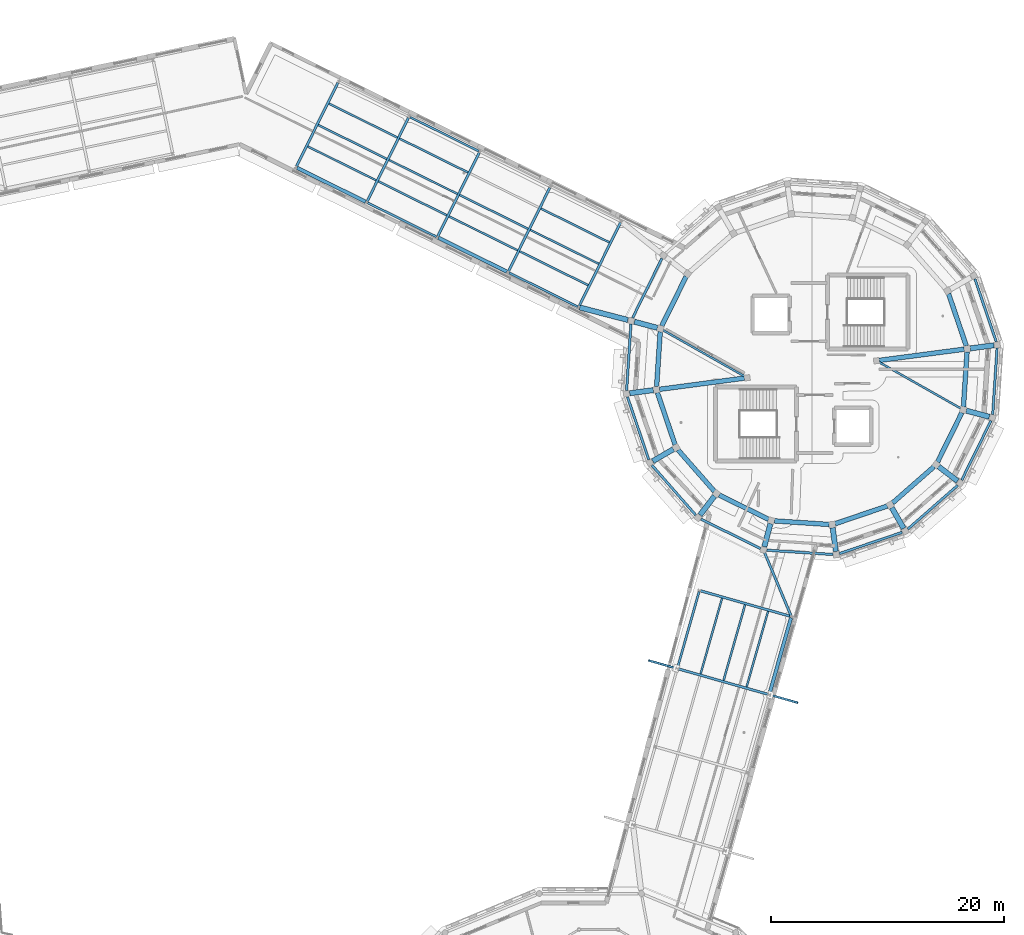
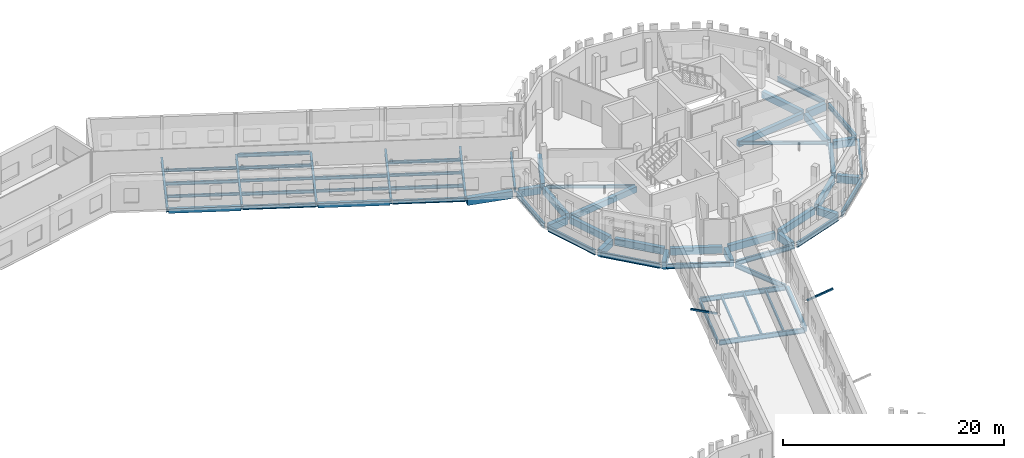
# One storey, part 29 of 90: 66 beams, 2 members.
"""IFC4 building model written with IfcOpenShell, lengths in metres."""

from ifc_helpers import new_model, si_unit, direction, frame, origin, origin_2d, place, context, subcontext, project, spatial, rectangle, hollow_rectangle, i_section, extrude, material, material_profile, profile_set, type_object, element, save


model = new_model("IFC4")

# Units and contexts
model_context = context("Model", 3, precision=1e-05, world=origin(), true_north=direction((0.0, 1.0)))
body_context = subcontext(model_context, "Body", "Model", "MODEL_VIEW")
ifc_project = project(units=[si_unit("LENGTHUNIT", "METRE"), si_unit("AREAUNIT", "SQUARE_METRE"), si_unit("VOLUMEUNIT", "CUBIC_METRE"), si_unit("PLANEANGLEUNIT", "RADIAN"), si_unit("MASSUNIT", "GRAM", prefix="KILO")], contexts=[model_context])

# Site, building, storey
site_placement = place(None, origin())
site = spatial("IfcSite", under=ifc_project, at=site_placement, CompositionType="ELEMENT")
building_placement = place(site_placement, origin())
building = spatial("IfcBuilding", under=site, at=building_placement, Name="Wrenclough Park School", CompositionType="ELEMENT")
storey_placement = place(building_placement, frame((0.0, 0.0, 8.39990234375)))
storey = spatial("IfcBuildingStorey", under=building, at=storey_placement, Name="L02", CompositionType="ELEMENT", Elevation=8.39990234375)

# Beams
ifc_material_1 = material(Name="Concrete C32/40", Category="concrete")
ifc_material_profile_1 = material_profile(ifc_material_1, rectangle(XDim=0.300048828125, YDim=0.5, at=origin_2d()), Name="RC BEAM 300x500")
ifc_profile_set_1 = profile_set([ifc_material_profile_1], Name="Concrete C32/40")
beam_type_1 = type_object("IfcBeamType", Name="STR-BM-RC300", PredefinedType="BEAM", material=ifc_profile_set_1)
beam_1_placement = place(storey_placement, frame((170.871826171875, 65.67822265625, -0.489990234375), z_axis=(0.272842053349, 0.962058841196, 0.0), x_axis=(-0.962058841196, 0.272842053349, 0.0)))
element("IfcBeam", 1, at=beam_1_placement, inside=storey, type_object=beam_type_1, Name="W14 L02 longitudinal edge beam R3", PredefinedType="BEAM", context=body_context, shape_type="SweptSolid", body=[
    extrude(rectangle(XDim=0.300048828125, YDim=0.5, at=origin_2d()), origin(), (0.0, 0.0, 1.0), 6.762939453125),
])
for number, where, z_axis, x_axis, name in (
    (2, (130.334228515625, 110.78076171875, -0.5), (0.896257314968, -0.443534469197, 0.0), (0.443534469197, 0.896257314968, 0.0), "W45 L02 longitudinal edge beam R1"),
    (3, (142.459228515625, 104.78076171875, -0.5), (0.896257314968, -0.443534469197, 0.0), (0.443534469197, 0.896257314968, 0.0), "W45 L02 longitudinal edge beam R3"),
):
    element("IfcBeam", number, at=place(storey_placement, frame(where, z_axis=z_axis, x_axis=x_axis)), inside=storey, type_object=beam_type_1, Name=name, PredefinedType="BEAM", context=body_context, shape_type="SweptSolid", body=[
        extrude(rectangle(XDim=0.300048828125, YDim=0.5, at=origin_2d()), origin(), (0.0, 0.0, 1.0), 6.56298828125),
    ])
ifc_material_2 = material(Name="Concrete C35/45", Category="concrete")
ifc_material_profile_2 = material_profile(ifc_material_2, rectangle(XDim=0.39990234375, YDim=0.64990234375, at=origin_2d()), Name="RC BEAM 400x650")
ifc_profile_set_2 = profile_set([ifc_material_profile_2], Name="Concrete C35/45")
beam_type_2 = type_object("IfcBeamType", Name="STR-BM-RC400A", PredefinedType="BEAM", material=ifc_profile_set_2)
for number, where, z_axis, x_axis, name in (
    (4, (187.5732421875, 95.22119140625, -0.58984375), (-0.991442527194, -0.130543920851, 0.0), (0.130543920851, -0.991442527194, 0.0), "D5 L02 inner radial beam 1"),
    (5, (161.4267578125, 91.77880859375, -0.58984375), (0.991442527194, 0.130543920851, 0.0), (-0.130543920851, 0.991442527194, 0.0), "D5 L02 inner radial beam 5"),
):
    element("IfcBeam", number, at=place(storey_placement, frame(where, z_axis=z_axis, x_axis=x_axis)), inside=storey, type_object=beam_type_2, Name=name, PredefinedType="BEAM", context=body_context, shape_type="SweptSolid", body=[
        extrude(rectangle(XDim=0.39990234375, YDim=0.64990234375, at=origin_2d()), origin(), (0.0, 0.0, 1.0), 7.345947265625),
    ])
ifc_material_profile_3 = material_profile(ifc_material_2, rectangle(XDim=0.39990234375, YDim=0.75, at=origin_2d()), Name="RC BEAM 400x750")
ifc_profile_set_3 = profile_set([ifc_material_profile_3], Name="Concrete C35/45")
beam_type_3 = type_object("IfcBeamType", Name="STR-BM-RC400B", PredefinedType="BEAM", material=ifc_profile_set_3)
beam_2_placement = place(storey_placement, frame((187.75, 95.505615234375, -0.639892578125), z_axis=(-0.321421417637, 0.946936255661, 0.0), x_axis=(-0.946936255661, -0.321421417637, 0.0)))
element("IfcBeam", 6, at=beam_2_placement, inside=storey, type_object=beam_type_3, Name="D5 L02 middle ring beam 1", PredefinedType="BEAM", context=body_context, shape_type="SweptSolid", body=[
    extrude(rectangle(XDim=0.39990234375, YDim=0.75, at=origin_2d()), origin(), (0.0, 0.0, 1.0), 4.719970703125),
])
beam_3_placement = place(storey_placement, frame((163.712646484375, 101.450927734375, -0.639892578125), z_axis=(-0.442323832808, -0.89685541027, 0.0), x_axis=(0.89685541027, -0.442323832808, 0.0)))
element("IfcBeam", 7, at=beam_3_placement, inside=storey, type_object=beam_type_3, Name="D5 L02 middle ring beam 7", PredefinedType="BEAM", context=body_context, shape_type="SweptSolid", body=[
    extrude(rectangle(XDim=0.39990234375, YDim=0.75, at=origin_2d()), origin(), (0.0, 0.0, 1.0), 4.7197265625),
])
for number, where, z_axis, x_axis, name in (
    (8, (161.490966796875, 96.7177734375, -0.639892578125), (-0.065379206951, -0.9978604909, 0.0), (0.9978604909, -0.065379206951, 0.0), "D5 L02 middle ring beam 8"),
    (9, (161.25, 91.494384765625, -0.639892578125), (0.321421417637, -0.946936255661, 0.0), (0.946936255661, 0.321421417637, 0.0), "D5 L02 middle ring beam 9"),
    (10, (163.026123046875, 86.576416015625, -0.639892578125), (0.659350116413, -0.751836035307, 0.0), (0.751836035307, 0.659350116413, 0.0), "D5 L02 middle ring beam 10"),
):
    element("IfcBeam", number, at=place(storey_placement, frame(where, z_axis=z_axis, x_axis=x_axis)), inside=storey, type_object=beam_type_3, Name=name, PredefinedType="BEAM", context=body_context, shape_type="SweptSolid", body=[
        extrude(rectangle(XDim=0.39990234375, YDim=0.75, at=origin_2d()), origin(), (0.0, 0.0, 1.0), 4.719970703125),
    ])
beam_4_placement = place(storey_placement, frame((166.549072265625, 82.712646484375, -0.639892578125), z_axis=(0.89685541027, -0.442323832808, 0.0), x_axis=(0.442323832808, 0.89685541027, 0.0)))
element("IfcBeam", 11, at=beam_4_placement, inside=storey, type_object=beam_type_3, Name="D5 L02 middle ring beam 11", PredefinedType="BEAM", context=body_context, shape_type="SweptSolid", body=[
    extrude(rectangle(XDim=0.39990234375, YDim=0.75, at=origin_2d()), origin(), (0.0, 0.0, 1.0), 4.7197265625),
])
for number, where, z_axis, x_axis, name in (
    (12, (171.2822265625, 80.490966796875, -0.639892578125), (0.9978604909, -0.065379206951, 0.0), (0.065379206951, 0.9978604909, 0.0), "D5 L02 middle ring beam 12"),
    (13, (176.505615234375, 80.25, -0.639892578125), (0.946936255661, 0.321421417637, 0.0), (-0.321421417637, 0.946936255661, 0.0), "D5 L02 middle ring beam 13"),
    (14, (181.423583984375, 82.026123046875, -0.639892578125), (0.751836035307, 0.659350116413, 0.0), (-0.659350116413, 0.751836035307, 0.0), "D5 L02 middle ring beam 14"),
):
    element("IfcBeam", number, at=place(storey_placement, frame(where, z_axis=z_axis, x_axis=x_axis)), inside=storey, type_object=beam_type_3, Name=name, PredefinedType="BEAM", context=body_context, shape_type="SweptSolid", body=[
        extrude(rectangle(XDim=0.39990234375, YDim=0.75, at=origin_2d()), origin(), (0.0, 0.0, 1.0), 4.719970703125),
    ])
beam_5_placement = place(storey_placement, frame((185.287353515625, 85.549072265625, -0.639892578125), z_axis=(0.442323832808, 0.89685541027, 0.0), x_axis=(-0.89685541027, 0.442323832808, 0.0)))
element("IfcBeam", 15, at=beam_5_placement, inside=storey, type_object=beam_type_3, Name="D5 L02 middle ring beam 15", PredefinedType="BEAM", context=body_context, shape_type="SweptSolid", body=[
    extrude(rectangle(XDim=0.39990234375, YDim=0.75, at=origin_2d()), origin(), (0.0, 0.0, 1.0), 4.7197265625),
])
beam_6_placement = place(storey_placement, frame((187.509033203125, 90.2822265625, -0.639892578125), z_axis=(0.065379206951, 0.9978604909, 0.0), x_axis=(-0.9978604909, 0.065379206951, 0.0)))
element("IfcBeam", 16, at=beam_6_placement, inside=storey, type_object=beam_type_3, Name="D5 L02 middle ring beam 16", PredefinedType="BEAM", context=body_context, shape_type="SweptSolid", body=[
    extrude(rectangle(XDim=0.39990234375, YDim=0.75, at=origin_2d()), origin(), (0.0, 0.0, 1.0), 4.719970703125),
])
ifc_material_3 = material(Name="Concrete C40/50", Category="concrete")
ifc_material_profile_4 = material_profile(ifc_material_3, rectangle(XDim=0.449951171875, YDim=0.800048828125, at=origin_2d()), Name="RC BEAM 450x800")
ifc_profile_set_4 = profile_set([ifc_material_profile_4], Name="Concrete C40/50")
beam_type_4 = type_object("IfcBeamType", Name="STR-BM-RC450", PredefinedType="BEAM", material=ifc_profile_set_4)
for number, where, z_axis, x_axis, name in (
    (17, (190.127197265625, 95.557373046875, -0.664794921875), (-0.991444149, -0.130531603121, 0.0), (0.130531603121, -0.991444149, 0.0), "D5 L02 radial girder 1"),
    (18, (159.275146484375, 97.57958984375, -0.664794921875), (0.965901752237, -0.25890887398, 0.0), (0.25890887398, 0.965901752237, 0.0), "D5 L02 radial girder 8"),
    (19, (158.872802734375, 91.442626953125, -0.664794921875), (0.991444149, 0.130531603121, 0.0), (-0.130531603121, 0.991444149, 0.0), "D5 L02 radial girder 9"),
    (20, (160.849609375, 85.618896484375, -0.664794921875), (0.865996998587, 0.500049196018, 0.0), (-0.500049196018, 0.865996998587, 0.0), "D5 L02 radial girder 10"),
):
    element("IfcBeam", number, at=place(storey_placement, frame(where, z_axis=z_axis, x_axis=x_axis)), inside=storey, type_object=beam_type_4, Name=name, PredefinedType="BEAM", context=body_context, shape_type="SweptSolid", body=[
        extrude(rectangle(XDim=0.449951171875, YDim=0.800048828125, at=origin_2d()), origin(), (0.0, 0.0, 1.0), 2.048095703125),
    ])
beam_7_placement = place(storey_placement, frame((164.90478515625, 80.9951171875, -0.664794921875), z_axis=(0.608736788616, 0.793372246922, 0.0), x_axis=(-0.793372246922, 0.608736788616, 0.0)))
element("IfcBeam", 21, at=beam_7_placement, inside=storey, type_object=beam_type_4, Name="D5 L02 radial girder 11", PredefinedType="BEAM", context=body_context, shape_type="SweptSolid", body=[
    extrude(rectangle(XDim=0.449951171875, YDim=0.800048828125, at=origin_2d()), origin(), (0.0, 0.0, 1.0), 2.04833984375),
])
for number, where, z_axis, x_axis, name in (
    (22, (170.42041015625, 78.275146484375, -0.664794921875), (0.25890887398, 0.965901752237, 0.0), (-0.965901752237, 0.25890887398, 0.0), "D5 L02 radial girder 12"),
    (23, (176.557373046875, 77.872802734375, -0.664794921875), (-0.130531603121, 0.991444149, 0.0), (-0.991444149, -0.130531603121, 0.0), "D5 L02 radial girder 13"),
    (24, (182.381103515625, 79.849609375, -0.664794921875), (-0.500049196018, 0.865996998587, 0.0), (-0.865996998587, -0.500049196018, 0.0), "D5 L02 radial girder 14"),
):
    element("IfcBeam", number, at=place(storey_placement, frame(where, z_axis=z_axis, x_axis=x_axis)), inside=storey, type_object=beam_type_4, Name=name, PredefinedType="BEAM", context=body_context, shape_type="SweptSolid", body=[
        extrude(rectangle(XDim=0.449951171875, YDim=0.800048828125, at=origin_2d()), origin(), (0.0, 0.0, 1.0), 2.048095703125),
    ])
beam_8_placement = place(storey_placement, frame((187.0048828125, 83.90478515625, -0.664794921875), z_axis=(-0.793372246922, 0.608736788616, 0.0), x_axis=(-0.608736788616, -0.793372246922, 0.0)))
element("IfcBeam", 25, at=beam_8_placement, inside=storey, type_object=beam_type_4, Name="D5 L02 radial girder 15", PredefinedType="BEAM", context=body_context, shape_type="SweptSolid", body=[
    extrude(rectangle(XDim=0.449951171875, YDim=0.800048828125, at=origin_2d()), origin(), (0.0, 0.0, 1.0), 2.04833984375),
])
beam_9_placement = place(storey_placement, frame((189.724853515625, 89.42041015625, -0.664794921875), z_axis=(-0.965901752237, 0.25890887398, 0.0), x_axis=(-0.25890887398, -0.965901752237, 0.0)))
element("IfcBeam", 26, at=beam_9_placement, inside=storey, type_object=beam_type_4, Name="D5 L02 radial girder 16", PredefinedType="BEAM", context=body_context, shape_type="SweptSolid", body=[
    extrude(rectangle(XDim=0.449951171875, YDim=0.800048828125, at=origin_2d()), origin(), (0.0, 0.0, 1.0), 2.048095703125),
])
beam_10_placement = place(storey_placement, frame((154.591552734375, 98.800048828125, -0.664794921875), z_axis=(0.96779154411, -0.251752908919, 0.0), x_axis=(0.251752908919, 0.96779154411, 0.0)))
element("IfcBeam", 27, at=beam_10_placement, inside=storey, type_object=beam_type_4, Name="W45 L02 drum junction tie beam 54", PredefinedType="BEAM", context=body_context, shape_type="SweptSolid", body=[
    extrude(rectangle(XDim=0.449951171875, YDim=0.800048828125, at=origin_2d()), origin(), (0.0, 0.0, 1.0), 4.26416015625),
])
ifc_material_4 = material(Name="Structural steel S355", Category="steel")
ifc_material_profile_5 = material_profile(ifc_material_4, i_section(OverallWidth=0.1650390625, OverallDepth=0.303466796875, WebThickness=0.006103515625, FlangeThickness=0.01025390625, FilletRadius=0.0087890625, at=origin_2d()), Name="UKB 305x165x40")
ifc_profile_set_5 = profile_set([ifc_material_profile_5], Name="Structural steel S355")
beam_type_5 = type_object("IfcBeamType", Name="STR-BM-UKB305", PredefinedType="JOIST", material=ifc_profile_set_5)
beam_11_placement = place(storey_placement, frame((164.956298828125, 67.360107421875, -0.3916015625), z_axis=(0.27284457139, 0.962058127071, 0.0), x_axis=(-0.962058127071, 0.27284457139, 0.0)))
element("IfcBeam", 28, at=beam_11_placement, inside=storey, type_object=beam_type_5, Name="W14 L02 secondary floor joist 0076", PredefinedType="JOIST", context=body_context, shape_type="SweptSolid", body=[
    extrude(i_section(OverallWidth=0.1650390625, OverallDepth=0.303466796875, WebThickness=0.006103515625, FlangeThickness=0.01025390625, FilletRadius=0.0087890625, at=origin_2d()), origin(), (0.0, 0.0, 1.0), 6.7548828125),
])
beam_12_placement = place(storey_placement, frame((168.90087890625, 66.241455078125, -0.3916015625), z_axis=(0.2728111184, 0.96206761388, 0.0), x_axis=(-0.96206761388, 0.2728111184, 0.0)))
element("IfcBeam", 29, at=beam_12_placement, inside=storey, type_object=beam_type_5, Name="W14 L02 secondary floor joist 0078", PredefinedType="JOIST", context=body_context, shape_type="SweptSolid", body=[
    extrude(i_section(OverallWidth=0.1650390625, OverallDepth=0.303466796875, WebThickness=0.006103515625, FlangeThickness=0.01025390625, FilletRadius=0.0087890625, at=origin_2d()), origin(), (0.0, 0.0, 1.0), 6.754638671875),
])
for number, where, z_axis, x_axis, name in (
    (30, (133.0654296875, 116.291015625, -0.401611328125), (0.896266918537, -0.443515062581, 0.0), (0.443515062581, 0.896266918537, 0.0), "W45 L02 secondary floor joist 0109"),
    (31, (131.2470703125, 112.6162109375, -0.401611328125), (0.896266918537, -0.443515062581, 0.0), (0.443515062581, 0.896266918537, 0.0), "W45 L02 secondary floor joist 0111"),
    (32, (138.21875, 111.45361328125, -0.401611328125), (0.896266918537, -0.443515062581, 0.0), (0.443515062581, 0.896266918537, 0.0), "W45 L02 secondary floor joist 0113"),
    (33, (143.3720703125, 106.6162109375, -0.401611328125), (0.896266918537, -0.443515062581, 0.0), (0.443515062581, 0.896266918537, 0.0), "W45 L02 secondary floor joist 0117"),
    (34, (150.34375, 105.45361328125, -0.401611328125), (0.896266918537, -0.443515062581, 0.0), (0.443515062581, 0.896266918537, 0.0), "W45 L02 secondary floor joist 0119"),
):
    element("IfcBeam", number, at=place(storey_placement, frame(where, z_axis=z_axis, x_axis=x_axis)), inside=storey, type_object=beam_type_5, Name=name, PredefinedType="JOIST", context=body_context, shape_type="SweptSolid", body=[
        extrude(i_section(OverallWidth=0.1650390625, OverallDepth=0.303466796875, WebThickness=0.006103515625, FlangeThickness=0.01025390625, FilletRadius=0.0087890625, at=origin_2d()), origin(), (0.0, 0.0, 1.0), 6.554931640625),
    ])
ifc_material_profile_6 = material_profile(ifc_material_4, i_section(OverallWidth=0.17138671875, OverallDepth=0.35498046875, WebThickness=0.00732421875, FlangeThickness=0.011474609375, FilletRadius=0.01025390625, at=origin_2d()), Name="UKB 356x171x51")
ifc_profile_set_6 = profile_set([ifc_material_profile_6], Name="Structural steel S355")
beam_type_6 = type_object("IfcBeamType", Name="STR-BM-UKB356", PredefinedType="JOIST", material=ifc_profile_set_6)
beam_13_placement = place(storey_placement, frame((166.9287109375, 66.80078125, -0.41748046875), z_axis=(0.2728111184, 0.96206761388, 0.0), x_axis=(-0.96206761388, 0.2728111184, 0.0)))
element("IfcBeam", 35, at=beam_13_placement, inside=storey, type_object=beam_type_6, Name="W14 L02 secondary floor joist 0077", PredefinedType="JOIST", context=body_context, shape_type="SweptSolid", body=[
    extrude(i_section(OverallWidth=0.17138671875, OverallDepth=0.35498046875, WebThickness=0.00732421875, FlangeThickness=0.011474609375, FilletRadius=0.01025390625, at=origin_2d()), origin(), (0.0, 0.0, 1.0), 6.754638671875),
])
for number, where, z_axis, x_axis, name in (
    (36, (132.15625, 114.45361328125, -0.427490234375), (0.896266918537, -0.443515062581, 0.0), (0.443515062581, 0.896266918537, 0.0), "W45 L02 secondary floor joist 0110"),
    (37, (139.1279296875, 113.291015625, -0.427490234375), (0.896266918537, -0.443515062581, 0.0), (0.443515062581, 0.896266918537, 0.0), "W45 L02 secondary floor joist 0112"),
    (38, (137.3095703125, 109.6162109375, -0.427490234375), (0.896266918537, -0.443515062581, 0.0), (0.443515062581, 0.896266918537, 0.0), "W45 L02 secondary floor joist 0114"),
    (39, (144.28125, 108.45361328125, -0.427490234375), (0.896266918537, -0.443515062581, 0.0), (0.443515062581, 0.896266918537, 0.0), "W45 L02 secondary floor joist 0116"),
    (40, (151.2529296875, 107.291015625, -0.427490234375), (0.896266918537, -0.443515062581, 0.0), (0.443515062581, 0.896266918537, 0.0), "W45 L02 secondary floor joist 0118"),
    (41, (149.4345703125, 103.6162109375, -0.427490234375), (0.896266918537, -0.443515062581, 0.0), (0.443515062581, 0.896266918537, 0.0), "W45 L02 secondary floor joist 0120"),
):
    element("IfcBeam", number, at=place(storey_placement, frame(where, z_axis=z_axis, x_axis=x_axis)), inside=storey, type_object=beam_type_6, Name=name, PredefinedType="JOIST", context=body_context, shape_type="SweptSolid", body=[
        extrude(i_section(OverallWidth=0.17138671875, OverallDepth=0.35498046875, WebThickness=0.00732421875, FlangeThickness=0.011474609375, FilletRadius=0.01025390625, at=origin_2d()), origin(), (0.0, 0.0, 1.0), 6.554931640625),
    ])
for number, where, z_axis, x_axis, name in (
    (42, (161.738037109375, 96.85107421875, -0.4423828125), (0.870200886555, -0.492697084464, 0.0), (0.492697084464, 0.870200886555, 0.0), "D5 L02 secondary radial floor beam 7"),
    (43, (187.261962890625, 90.14892578125, -0.4423828125), (-0.870200886555, 0.492697084464, 0.0), (-0.492697084464, -0.870200886555, 0.0), "D5 L02 secondary radial floor beam 15"),
):
    element("IfcBeam", number, at=place(storey_placement, frame(where, z_axis=z_axis, x_axis=x_axis)), inside=storey, type_object=beam_type_6, Name=name, PredefinedType="JOIST", context=body_context, shape_type="SweptSolid", body=[
        extrude(i_section(OverallWidth=0.17138671875, OverallDepth=0.35498046875, WebThickness=0.00732421875, FlangeThickness=0.011474609375, FilletRadius=0.01025390625, at=origin_2d()), origin(), (0.0, 0.0, 1.0), 8.045166015625),
    ])
ifc_material_profile_7 = material_profile(ifc_material_4, i_section(OverallWidth=0.177978515625, OverallDepth=0.406494140625, WebThickness=0.0078125, FlangeThickness=0.0126953125, FilletRadius=0.01025390625, at=origin_2d()), Name="UKB 406x178x60")
ifc_profile_set_7 = profile_set([ifc_material_profile_7], Name="Structural steel S355")
beam_type_7 = type_object("IfcBeamType", Name="STR-BM-UKB406", PredefinedType="BEAM", material=ifc_profile_set_7)
beam_14_placement = place(storey_placement, frame((140.03369140625, 115.130126953125, -0.453125), z_axis=(0.896257314968, -0.443534469197, 0.0), x_axis=(0.443534469197, 0.896257314968, 0.0)))
element("IfcBeam", 44, at=beam_14_placement, inside=storey, type_object=beam_type_7, Name="W45 L02 longitudinal edge beam L2", PredefinedType="BEAM", context=body_context, shape_type="SweptSolid", body=[
    extrude(i_section(OverallWidth=0.177978515625, OverallDepth=0.406494140625, WebThickness=0.0078125, FlangeThickness=0.0126953125, FilletRadius=0.01025390625, at=origin_2d()), origin(), (0.0, 0.0, 1.0), 6.56298828125),
])
ifc_material_profile_8 = material_profile(ifc_material_4, i_section(OverallWidth=0.18994140625, OverallDepth=0.453369140625, WebThickness=0.008544921875, FlangeThickness=0.0126953125, FilletRadius=0.01025390625, at=origin_2d()), Name="UKB 457x191x67")
ifc_profile_set_8 = profile_set([ifc_material_profile_8], Name="Structural steel S355")
beam_type_8 = type_object("IfcBeamType", Name="STR-BM-UKB457A", PredefinedType="BEAM", material=ifc_profile_set_8)
beam_15_placement = place(storey_placement, frame((162.98291015625, 67.915283203125, -0.466552734375), z_axis=(0.272832577833, 0.962061528424, 0.0), x_axis=(-0.962061528424, 0.272832577833, 0.0)))
element("IfcBeam", 45, at=beam_15_placement, inside=storey, type_object=beam_type_8, Name="W14 L02 longitudinal edge beam L3", PredefinedType="BEAM", context=body_context, shape_type="SweptSolid", body=[
    extrude(i_section(OverallWidth=0.18994140625, OverallDepth=0.453369140625, WebThickness=0.008544921875, FlangeThickness=0.0126953125, FilletRadius=0.01025390625, at=origin_2d()), origin(), (0.0, 0.0, 1.0), 6.76318359375),
])
for number, where, z_axis, x_axis, name in (
    (46, (136.396728515625, 107.78076171875, -0.4765625), (0.896257314968, -0.443534469197, 0.0), (0.443534469197, 0.896257314968, 0.0), "W45 L02 longitudinal edge beam R2"),
    (47, (148.521728515625, 101.78076171875, -0.4765625), (0.896257314968, -0.443534469197, 0.0), (0.443534469197, 0.896257314968, 0.0), "W45 L02 longitudinal edge beam R4"),
):
    element("IfcBeam", number, at=place(storey_placement, frame(where, z_axis=z_axis, x_axis=x_axis)), inside=storey, type_object=beam_type_8, Name=name, PredefinedType="BEAM", context=body_context, shape_type="SweptSolid", body=[
        extrude(i_section(OverallWidth=0.18994140625, OverallDepth=0.453369140625, WebThickness=0.008544921875, FlangeThickness=0.0126953125, FilletRadius=0.01025390625, at=origin_2d()), origin(), (0.0, 0.0, 1.0), 6.56298828125),
    ])
ifc_material_profile_9 = material_profile(ifc_material_4, i_section(OverallWidth=0.209228515625, OverallDepth=0.533203125, WebThickness=0.010009765625, FlangeThickness=0.015625, FilletRadius=0.0126953125, at=origin_2d()), Name="UKB 533x210x92")
ifc_profile_set_9 = profile_set([ifc_material_profile_9], Name="Structural steel S355")
beam_type_9 = type_object("IfcBeamType", Name="STR-BM-UKB533A", PredefinedType="BEAM", material=ifc_profile_set_9)
beam_16_placement = place(storey_placement, frame((163.05224609375, 67.791259765625, -0.50634765625), z_axis=(0.962062258577, -0.272830003154, 0.0), x_axis=(0.272830003154, 0.962062258577, 0.0)))
element("IfcBeam", 48, at=beam_16_placement, inside=storey, type_object=beam_type_9, Name="W14 L02 transverse floor beam 3", PredefinedType="BEAM", context=body_context, shape_type="SweptSolid", body=[
    extrude(i_section(OverallWidth=0.209228515625, OverallDepth=0.533203125, WebThickness=0.010009765625, FlangeThickness=0.015625, FilletRadius=0.0126953125, at=origin_2d()), origin(), (0.0, 0.0, 1.0), 7.9990234375),
])
beam_17_placement = place(storey_placement, frame((164.952392578125, 74.4912109375, -0.50634765625), z_axis=(0.962059986586, -0.272838014597, 0.0), x_axis=(0.272838014597, 0.962059986586, 0.0)))
element("IfcBeam", 49, at=beam_17_placement, inside=storey, type_object=beam_type_9, Name="W14 L02 transverse floor beam 4", PredefinedType="BEAM", context=body_context, shape_type="SweptSolid", body=[
    extrude(i_section(OverallWidth=0.209228515625, OverallDepth=0.533203125, WebThickness=0.010009765625, FlangeThickness=0.015625, FilletRadius=0.0126953125, at=origin_2d()), origin(), (0.0, 0.0, 1.0), 7.998779296875),
])
for number, where, z_axis, x_axis, name in (
    (50, (133.836181640625, 118.08447265625, -0.516357421875), (-0.443498156852, -0.896275284089, 0.0), (0.896275284089, -0.443498156852, 0.0), "W45 L02 transverse floor beam 1"),
    (51, (139.898681640625, 115.08447265625, -0.516357421875), (-0.443498156852, -0.896275284089, 0.0), (0.896275284089, -0.443498156852, 0.0), "W45 L02 transverse floor beam 2"),
    (52, (145.961181640625, 112.08447265625, -0.516357421875), (-0.443498156852, -0.896275284089, 0.0), (0.896275284089, -0.443498156852, 0.0), "W45 L02 transverse floor beam 3"),
    (53, (152.023681640625, 109.08447265625, -0.516357421875), (-0.443498156852, -0.896275284089, 0.0), (0.896275284089, -0.443498156852, 0.0), "W45 L02 transverse floor beam 4"),
    (54, (158.086181640625, 106.08447265625, -0.516357421875), (-0.443498156852, -0.896275284089, 0.0), (0.896275284089, -0.443498156852, 0.0), "W45 L02 transverse floor beam 5"),
):
    element("IfcBeam", number, at=place(storey_placement, frame(where, z_axis=z_axis, x_axis=x_axis)), inside=storey, type_object=beam_type_9, Name=name, PredefinedType="BEAM", context=body_context, shape_type="SweptSolid", body=[
        extrude(i_section(OverallWidth=0.209228515625, OverallDepth=0.533203125, WebThickness=0.010009765625, FlangeThickness=0.015625, FilletRadius=0.0126953125, at=origin_2d()), origin(), (0.0, 0.0, 1.0), 7.99853515625),
    ])
beam_18_placement = place(storey_placement, frame((172.70556640625, 72.374267578125, -0.531494140625), z_axis=(-0.386959545357, 0.922096692466, 0.0), x_axis=(-0.922096692466, -0.386959545357, 0.0)))
element("IfcBeam", 55, at=beam_18_placement, inside=storey, type_object=beam_type_9, Name="W14 L02 drum junction tie beam 39", PredefinedType="BEAM", context=body_context, shape_type="SweptSolid", body=[
    extrude(i_section(OverallWidth=0.209228515625, OverallDepth=0.533203125, WebThickness=0.010009765625, FlangeThickness=0.015625, FilletRadius=0.0126953125, at=origin_2d()), origin(), (0.0, 0.0, 1.0), 5.8095703125),
])
ifc_material_profile_10 = material_profile(ifc_material_4, i_section(OverallWidth=0.210693359375, OverallDepth=0.53955078125, WebThickness=0.01171875, FlangeThickness=0.018798828125, FilletRadius=0.0126953125, at=origin_2d()), Name="UKB 533x210x109")
ifc_profile_set_10 = profile_set([ifc_material_profile_10], Name="Structural steel S355")
beam_type_10 = type_object("IfcBeamType", Name="STR-BM-UKB533B", PredefinedType="SPANDREL", material=ifc_profile_set_10)
for number, where, z_axis, x_axis, name in (
    (56, (190.320068359375, 95.86767578125, -0.53466796875), (-0.321452413146, 0.946925734196, 0.0), (-0.946925734196, -0.321452413146, 0.0), "D5 L02 outer ring spandrel beam 1"),
    (57, (161.639404296875, 103.01220703125, -0.53466796875), (-0.442312353825, -0.896861071545, 0.0), (0.896861071545, -0.442312353825, 0.0), "D5 L02 outer ring spandrel beam 7"),
):
    element("IfcBeam", number, at=place(storey_placement, frame(where, z_axis=z_axis, x_axis=x_axis)), inside=storey, type_object=beam_type_10, Name=name, PredefinedType="SPANDREL", context=body_context, shape_type="SweptSolid", body=[
        extrude(i_section(OverallWidth=0.210693359375, OverallDepth=0.53955078125, WebThickness=0.01171875, FlangeThickness=0.018798828125, FilletRadius=0.0126953125, at=origin_2d()), origin(), (0.0, 0.0, 1.0), 5.686279296875),
    ])
beam_19_placement = place(storey_placement, frame((158.97802734375, 97.36669921875, -0.53466796875), z_axis=(-0.065387689577, -0.997859935087, 0.0), x_axis=(0.997859935087, -0.065387689577, 0.0)))
element("IfcBeam", 58, at=beam_19_placement, inside=storey, type_object=beam_type_10, Name="D5 L02 outer ring spandrel beam 8", PredefinedType="SPANDREL", context=body_context, shape_type="SweptSolid", body=[
    extrude(i_section(OverallWidth=0.210693359375, OverallDepth=0.53955078125, WebThickness=0.01171875, FlangeThickness=0.018798828125, FilletRadius=0.0126953125, at=origin_2d()), origin(), (0.0, 0.0, 1.0), 5.6865234375),
])
beam_20_placement = place(storey_placement, frame((158.679931640625, 91.13232421875, -0.53466796875), z_axis=(0.321452413146, -0.946925734196, 0.0), x_axis=(0.946925734196, 0.321452413146, 0.0)))
element("IfcBeam", 59, at=beam_20_placement, inside=storey, type_object=beam_type_10, Name="D5 L02 outer ring spandrel beam 9", PredefinedType="SPANDREL", context=body_context, shape_type="SweptSolid", body=[
    extrude(i_section(OverallWidth=0.210693359375, OverallDepth=0.53955078125, WebThickness=0.01171875, FlangeThickness=0.018798828125, FilletRadius=0.0126953125, at=origin_2d()), origin(), (0.0, 0.0, 1.0), 5.686279296875),
])
beam_21_placement = place(storey_placement, frame((160.790283203125, 85.258544921875, -0.53466796875), z_axis=(0.659330966856, -0.75185282878, 0.0), x_axis=(0.75185282878, 0.659330966856, 0.0)))
element("IfcBeam", 60, at=beam_21_placement, inside=storey, type_object=beam_type_10, Name="D5 L02 outer ring spandrel beam 10", PredefinedType="SPANDREL", context=body_context, shape_type="SweptSolid", body=[
    extrude(i_section(OverallWidth=0.210693359375, OverallDepth=0.53955078125, WebThickness=0.01171875, FlangeThickness=0.018798828125, FilletRadius=0.0126953125, at=origin_2d()), origin(), (0.0, 0.0, 1.0), 5.6865234375),
])
beam_22_placement = place(storey_placement, frame((164.98779296875, 80.639404296875, -0.53466796875), z_axis=(0.896861071545, -0.442312353825, 0.0), x_axis=(0.442312353825, 0.896861071545, 0.0)))
element("IfcBeam", 61, at=beam_22_placement, inside=storey, type_object=beam_type_10, Name="D5 L02 outer ring spandrel beam 11", PredefinedType="SPANDREL", context=body_context, shape_type="SweptSolid", body=[
    extrude(i_section(OverallWidth=0.210693359375, OverallDepth=0.53955078125, WebThickness=0.01171875, FlangeThickness=0.018798828125, FilletRadius=0.0126953125, at=origin_2d()), origin(), (0.0, 0.0, 1.0), 5.686279296875),
])
beam_23_placement = place(storey_placement, frame((170.63330078125, 77.97802734375, -0.53466796875), z_axis=(0.997859935087, -0.065387689577, 0.0), x_axis=(0.065387689577, 0.997859935087, 0.0)))
element("IfcBeam", 62, at=beam_23_placement, inside=storey, type_object=beam_type_10, Name="D5 L02 outer ring spandrel beam 12", PredefinedType="SPANDREL", context=body_context, shape_type="SweptSolid", body=[
    extrude(i_section(OverallWidth=0.210693359375, OverallDepth=0.53955078125, WebThickness=0.01171875, FlangeThickness=0.018798828125, FilletRadius=0.0126953125, at=origin_2d()), origin(), (0.0, 0.0, 1.0), 5.6865234375),
])
beam_24_placement = place(storey_placement, frame((176.86767578125, 77.679931640625, -0.53466796875), z_axis=(0.946925734196, 0.321452413146, 0.0), x_axis=(-0.321452413146, 0.946925734196, 0.0)))
element("IfcBeam", 63, at=beam_24_placement, inside=storey, type_object=beam_type_10, Name="D5 L02 outer ring spandrel beam 13", PredefinedType="SPANDREL", context=body_context, shape_type="SweptSolid", body=[
    extrude(i_section(OverallWidth=0.210693359375, OverallDepth=0.53955078125, WebThickness=0.01171875, FlangeThickness=0.018798828125, FilletRadius=0.0126953125, at=origin_2d()), origin(), (0.0, 0.0, 1.0), 5.686279296875),
])
beam_25_placement = place(storey_placement, frame((182.741455078125, 79.790283203125, -0.53466796875), z_axis=(0.75185282878, 0.659330966856, 0.0), x_axis=(-0.659330966856, 0.75185282878, 0.0)))
element("IfcBeam", 64, at=beam_25_placement, inside=storey, type_object=beam_type_10, Name="D5 L02 outer ring spandrel beam 14", PredefinedType="SPANDREL", context=body_context, shape_type="SweptSolid", body=[
    extrude(i_section(OverallWidth=0.210693359375, OverallDepth=0.53955078125, WebThickness=0.01171875, FlangeThickness=0.018798828125, FilletRadius=0.0126953125, at=origin_2d()), origin(), (0.0, 0.0, 1.0), 5.6865234375),
])
beam_26_placement = place(storey_placement, frame((187.360595703125, 83.98779296875, -0.53466796875), z_axis=(0.442312353825, 0.896861071545, 0.0), x_axis=(-0.896861071545, 0.442312353825, 0.0)))
element("IfcBeam", 65, at=beam_26_placement, inside=storey, type_object=beam_type_10, Name="D5 L02 outer ring spandrel beam 15", PredefinedType="SPANDREL", context=body_context, shape_type="SweptSolid", body=[
    extrude(i_section(OverallWidth=0.210693359375, OverallDepth=0.53955078125, WebThickness=0.01171875, FlangeThickness=0.018798828125, FilletRadius=0.0126953125, at=origin_2d()), origin(), (0.0, 0.0, 1.0), 5.686279296875),
])
beam_27_placement = place(storey_placement, frame((190.02197265625, 89.63330078125, -0.53466796875), z_axis=(0.065387689577, 0.997859935087, 0.0), x_axis=(-0.997859935087, 0.065387689577, 0.0)))
element("IfcBeam", 66, at=beam_27_placement, inside=storey, type_object=beam_type_10, Name="D5 L02 outer ring spandrel beam 16", PredefinedType="SPANDREL", context=body_context, shape_type="SweptSolid", body=[
    extrude(i_section(OverallWidth=0.210693359375, OverallDepth=0.53955078125, WebThickness=0.01171875, FlangeThickness=0.018798828125, FilletRadius=0.0126953125, at=origin_2d()), origin(), (0.0, 0.0, 1.0), 5.6865234375),
])

# Members
ifc_material_profile_11 = material_profile(ifc_material_4, hollow_rectangle(XDim=0.179931640625, YDim=0.179931640625, WallThickness=0.010009765625, InnerFilletRadius=0.010009765625, OuterFilletRadius=0.014892578125, at=origin_2d()), Name="SHS 180x180x10.0")
ifc_profile_set_11 = profile_set([ifc_material_profile_11], Name="Structural steel S355")
member_type = type_object("IfcMemberType", Name="STR-MEM-STRUT2", PredefinedType="STRUT", material=ifc_profile_set_11)
for number, where, z_axis, x_axis, name in (
    (67, (162.867431640625, 67.843505859375, 2.75), (-0.90339959361, 0.256249182828, 0.343810311895), (-0.272884459541, -0.962046813695, 0.0), "W14 overhanging eave knee-brace strut 9"),
    (68, (170.9326171875, 65.556396484375, 2.75), (0.903421177249, -0.256162053458, 0.343818526065), (0.272792547558, 0.962072879774, 0.0), "W14 overhanging eave knee-brace strut 10"),
):
    element("IfcMember", number, at=place(storey_placement, frame(where, z_axis=z_axis, x_axis=x_axis)), inside=storey, type_object=member_type, Name=name, PredefinedType="STRUT", context=body_context, shape_type="SweptSolid", body=[
        extrude(hollow_rectangle(XDim=0.179931640625, YDim=0.179931640625, WallThickness=0.010009765625, InnerFilletRadius=0.010009765625, OuterFilletRadius=0.014892578125, at=origin_2d()), origin(), (0.0, 0.0, 1.0), 2.6181640625),
    ])

save(model, "model.ifc")
